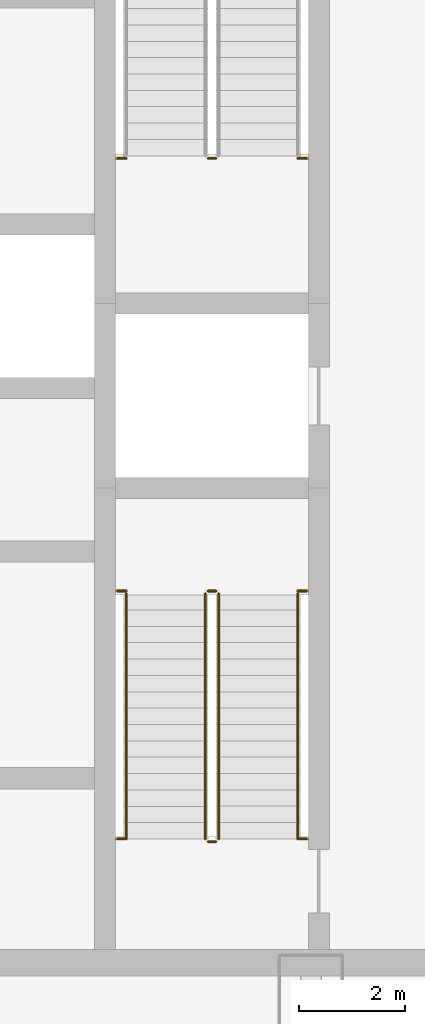
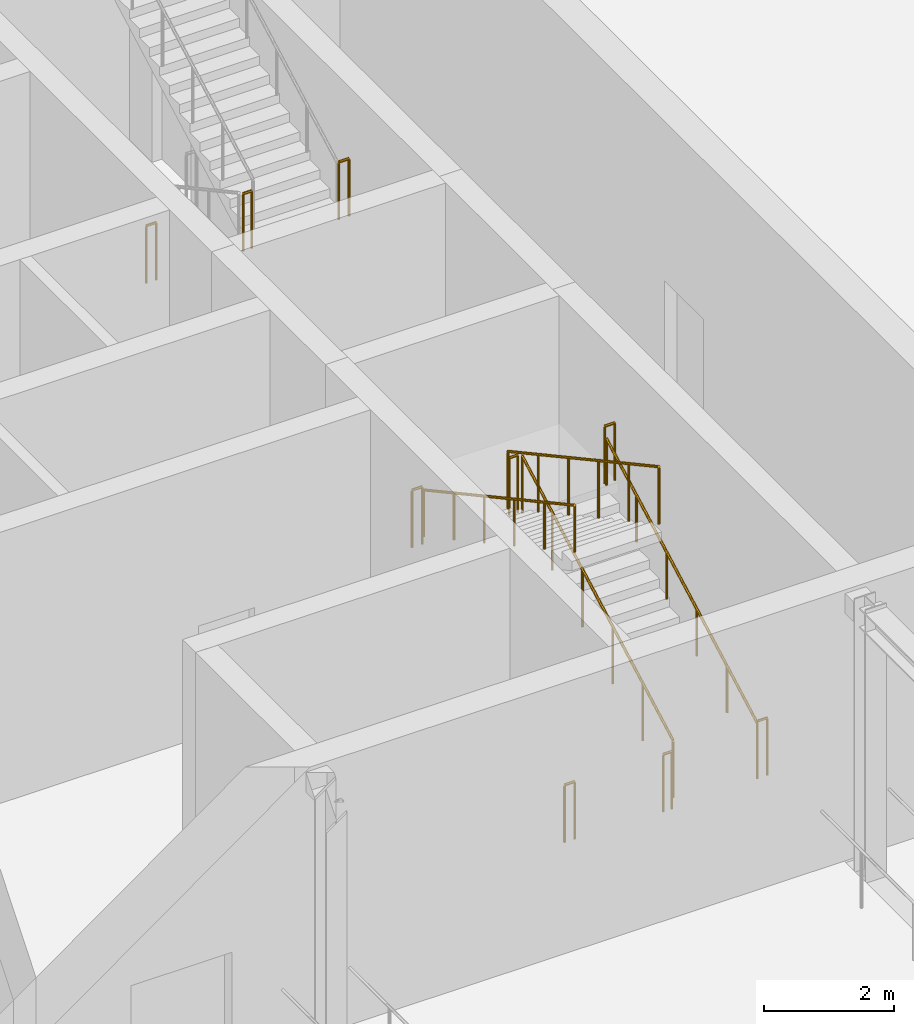
# One storey, part 13 of 16: 13 railings.
"""IFC4 building model written with IfcOpenShell, lengths in metres."""

from ifc_helpers import new_model, si_unit, direction, frame, origin, origin_2d, place, context, subcontext, project, spatial, circle, extrude, material, type_object, element, save


model = new_model("IFC4")

# Units and contexts
model_context = context("Model", 3, precision=1e-05, world=origin(), true_north=direction((0.0, 1.0)))
body_context = subcontext(model_context, "Body", "Model", "MODEL_VIEW")
ifc_project = project(units=[si_unit("LENGTHUNIT", "METRE"), si_unit("AREAUNIT", "SQUARE_METRE"), si_unit("VOLUMEUNIT", "CUBIC_METRE"), si_unit("PLANEANGLEUNIT", "RADIAN"), si_unit("MASSUNIT", "GRAM", prefix="KILO")], contexts=[model_context])

# Site, building, storey
site_placement = place(None, origin())
site = spatial("IfcSite", under=ifc_project, at=site_placement, CompositionType="ELEMENT")
building_placement = place(site_placement, origin())
building = spatial("IfcBuilding", under=site, at=building_placement, Name="Madar Terraces", CompositionType="ELEMENT")
storey_placement = place(building_placement, frame((0.0, 0.0, 263.199951171875)))
storey = spatial("IfcBuildingStorey", under=building, at=storey_placement, Name="L69", CompositionType="ELEMENT", Elevation=263.199951171875)

# Railings
ifc_material_1 = material(Name="Stainless steel railing", Category="steel")
railing_type_1 = type_object("IfcRailingType", Name="Stair guard 1100", PredefinedType="GUARDRAIL", material=ifc_material_1)
railing_1_placement = place(storey_placement, frame((41.25, 30.5, 2.699951171875)))
element("IfcRailing", 1, at=railing_1_placement, inside=storey, type_object=railing_type_1, Name="L69 ST2 stair guard 2", PredefinedType="GUARDRAIL", context=body_context, shape_type="SweptSolid", body=[
    extrude(circle(Radius=0.02392578125, at=origin_2d()), frame((0.0, 0.0, 1.076171875), z_axis=(1.0, 0.0, 0.0), x_axis=(0.0, 1.0, 0.0)), (0.0, 0.0, 1.0), 0.14990234375),
    extrude(circle(Radius=0.02099609375, at=origin_2d()), origin(), (0.0, 0.0, 1.0), 1.052001953125),
    extrude(circle(Radius=0.02099609375, at=origin_2d()), frame((0.14990234375, 0.0, 0.0)), (0.0, 0.0, 1.0), 1.052001953125),
])
railing_2_placement = place(storey_placement, frame((41.449951171875, 17.60009765625, 0.168701171875)))
element("IfcRailing", 2, at=railing_2_placement, inside=storey, type_object=railing_type_1, Name="L69 ST3 stair guard 1", PredefinedType="GUARDRAIL", context=body_context, shape_type="SweptSolid", body=[
    extrude(circle(Radius=0.02392578125, at=origin_2d()), frame((0.0, 0.0, 1.076171875), z_axis=(0.0, 0.878297076953, 0.478115304728), x_axis=(-1.0, 0.0, 0.0)), (0.0, 0.0, 1.0), 5.294189453125),
    extrude(circle(Radius=0.02099609375, at=origin_2d()), origin(), (0.0, 0.0, 1.0), 1.052001953125),
    extrude(circle(Radius=0.02099609375, at=origin_2d()), frame((0.0, 0.929931640625, 0.50634765625)), (0.0, 0.0, 1.0), 1.052001953125),
    extrude(circle(Radius=0.02099609375, at=origin_2d()), frame((0.0, 1.85986328125, 1.012451171875)), (0.0, 0.0, 1.0), 1.052001953125),
    extrude(circle(Radius=0.02099609375, at=origin_2d()), frame((0.0, 2.7900390625, 1.518798828125)), (0.0, 0.0, 1.0), 1.052001953125),
    extrude(circle(Radius=0.02099609375, at=origin_2d()), frame((0.0, 3.719970703125, 2.02490234375)), (0.0, 0.0, 1.0), 1.052001953125),
    extrude(circle(Radius=0.02099609375, at=origin_2d()), frame((0.0, 4.64990234375, 2.53125)), (0.0, 0.0, 1.0), 1.052001953125),
])
railing_3_placement = place(storey_placement, frame((41.39990234375, 22.300048828125, 2.699951171875)))
element("IfcRailing", 3, at=railing_3_placement, inside=storey, type_object=railing_type_1, Name="L69 ST3 stair guard 2", PredefinedType="GUARDRAIL", context=body_context, shape_type="SweptSolid", body=[
    extrude(circle(Radius=0.02392578125, at=origin_2d()), frame((0.0, 0.0, 1.076171875), z_axis=(-1.0, 0.0, 0.0), x_axis=(0.0, -1.0, 0.0)), (0.0, 0.0, 1.0), 0.14990234375),
    extrude(circle(Radius=0.02099609375, at=origin_2d()), origin(), (0.0, 0.0, 1.0), 1.052001953125),
    extrude(circle(Radius=0.02099609375, at=origin_2d()), frame((-0.14990234375, 0.0, 0.0)), (0.0, 0.0, 1.0), 1.052001953125),
])
railing_4_placement = place(storey_placement, frame((41.199951171875, 22.25, 2.868896484375)))
element("IfcRailing", 4, at=railing_4_placement, inside=storey, type_object=railing_type_1, Name="L69 ST3 stair guard 3", PredefinedType="GUARDRAIL", context=body_context, shape_type="SweptSolid", body=[
    extrude(circle(Radius=0.02392578125, at=origin_2d()), frame((0.0, 0.0, 1.076171875), z_axis=(0.0, -0.878297076953, 0.478115304728), x_axis=(1.0, 0.0, 0.0)), (0.0, 0.0, 1.0), 5.294189453125),
    extrude(circle(Radius=0.02099609375, at=origin_2d()), origin(), (0.0, 0.0, 1.0), 1.052001953125),
    extrude(circle(Radius=0.02099609375, at=origin_2d()), frame((0.0, -0.929931640625, 0.50634765625)), (0.0, 0.0, 1.0), 1.052001953125),
    extrude(circle(Radius=0.02099609375, at=origin_2d()), frame((0.0, -1.85986328125, 1.012451171875)), (0.0, 0.0, 1.0), 1.052001953125),
    extrude(circle(Radius=0.02099609375, at=origin_2d()), frame((0.0, -2.7900390625, 1.518798828125)), (0.0, 0.0, 1.0), 1.052001953125),
    extrude(circle(Radius=0.02099609375, at=origin_2d()), frame((0.0, -3.719970703125, 2.02490234375)), (0.0, 0.0, 1.0), 1.052001953125),
    extrude(circle(Radius=0.02099609375, at=origin_2d()), frame((0.0, -4.64990234375, 2.53125)), (0.0, 0.0, 1.0), 1.052001953125),
])
railing_5_placement = place(storey_placement, frame((41.39990234375, 17.550048828125, 0.0)))
element("IfcRailing", 5, at=railing_5_placement, inside=storey, type_object=railing_type_1, Name="L69 ST3 stair guard 4", PredefinedType="GUARDRAIL", context=body_context, shape_type="SweptSolid", body=[
    extrude(circle(Radius=0.02392578125, at=origin_2d()), frame((0.0, 0.0, 1.076171875), z_axis=(-1.0, 0.0, 0.0), x_axis=(0.0, -1.0, 0.0)), (0.0, 0.0, 1.0), 0.14990234375),
    extrude(circle(Radius=0.02099609375, at=origin_2d()), origin(), (0.0, 0.0, 1.0), 1.052001953125),
    extrude(circle(Radius=0.02099609375, at=origin_2d()), frame((-0.14990234375, 0.0, 0.0)), (0.0, 0.0, 1.0), 1.052001953125),
])
for number, where, name in (
    (6, (39.52001953125, 30.5, 2.699951171875), "L69 stair guard seat 1"),
    (7, (42.949951171875, 30.5, 2.699951171875), "L69 stair guard seat 2"),
    (8, (39.52001953125, 22.300048828125, 2.699951171875), "L69 stair guard seat 1"),
    (9, (42.949951171875, 22.300048828125, 2.699951171875), "L69 stair guard seat 2"),
    (10, (39.52001953125, 17.60009765625, 0.0), "L69 stair guard floor 1"),
    (11, (42.949951171875, 17.60009765625, 0.0), "L69 stair guard floor 2"),
):
    element("IfcRailing", number, at=place(storey_placement, frame(where)), inside=storey, type_object=railing_type_1, Name=name, PredefinedType="GUARDRAIL", context=body_context, shape_type="SweptSolid", body=[
        extrude(circle(Radius=0.02392578125, at=origin_2d()), frame((0.0, 0.0, 1.076171875), z_axis=(1.0, 0.0, 0.0), x_axis=(0.0, 1.0, 0.0)), (0.0, 0.0, 1.0), 0.179931640625),
        extrude(circle(Radius=0.02099609375, at=origin_2d()), origin(), (0.0, 0.0, 1.0), 1.052001953125),
        extrude(circle(Radius=0.02099609375, at=origin_2d()), frame((0.179931640625, 0.0, 0.0)), (0.0, 0.0, 1.0), 1.052001953125),
    ])
ifc_material_2 = material(Name="Stainless steel railing", Category="steel")
railing_type_2 = type_object("IfcRailingType", Name="Stair handrail 900", PredefinedType="HANDRAIL", material=ifc_material_2)
railing_6_placement = place(storey_placement, frame((42.949951171875, 17.60009765625, 0.168701171875)))
element("IfcRailing", 12, at=railing_6_placement, inside=storey, type_object=railing_type_2, Name="L69 ST3 stair handrail 1", PredefinedType="HANDRAIL", context=body_context, shape_type="SweptSolid", body=[
    extrude(circle(Radius=0.02392578125, at=origin_2d()), frame((0.0, 0.0, 0.8759765625), z_axis=(0.0, 0.878297076953, 0.478115304728), x_axis=(-1.0, 0.0, 0.0)), (0.0, 0.0, 1.0), 5.294189453125),
    extrude(circle(Radius=0.02099609375, at=origin_2d()), origin(), (0.0, 0.0, 1.0), 0.851806640625),
    extrude(circle(Radius=0.02099609375, at=origin_2d()), frame((0.0, 0.929931640625, 0.50634765625)), (0.0, 0.0, 1.0), 0.851806640625),
    extrude(circle(Radius=0.02099609375, at=origin_2d()), frame((0.0, 1.85986328125, 1.012451171875)), (0.0, 0.0, 1.0), 0.851806640625),
    extrude(circle(Radius=0.02099609375, at=origin_2d()), frame((0.0, 2.7900390625, 1.518798828125)), (0.0, 0.0, 1.0), 0.851806640625),
    extrude(circle(Radius=0.02099609375, at=origin_2d()), frame((0.0, 3.719970703125, 2.02490234375)), (0.0, 0.0, 1.0), 0.851806640625),
    extrude(circle(Radius=0.02099609375, at=origin_2d()), frame((0.0, 4.64990234375, 2.53125)), (0.0, 0.0, 1.0), 0.851806640625),
])
railing_7_placement = place(storey_placement, frame((39.699951171875, 22.25, 2.868896484375)))
element("IfcRailing", 13, at=railing_7_placement, inside=storey, type_object=railing_type_2, Name="L69 ST3 stair handrail 2", PredefinedType="HANDRAIL", context=body_context, shape_type="SweptSolid", body=[
    extrude(circle(Radius=0.02392578125, at=origin_2d()), frame((0.0, 0.0, 0.8759765625), z_axis=(0.0, -0.878297076953, 0.478115304728), x_axis=(1.0, 0.0, 0.0)), (0.0, 0.0, 1.0), 5.294189453125),
    extrude(circle(Radius=0.02099609375, at=origin_2d()), origin(), (0.0, 0.0, 1.0), 0.851806640625),
    extrude(circle(Radius=0.02099609375, at=origin_2d()), frame((0.0, -0.929931640625, 0.50634765625)), (0.0, 0.0, 1.0), 0.851806640625),
    extrude(circle(Radius=0.02099609375, at=origin_2d()), frame((0.0, -1.85986328125, 1.012451171875)), (0.0, 0.0, 1.0), 0.851806640625),
    extrude(circle(Radius=0.02099609375, at=origin_2d()), frame((0.0, -2.7900390625, 1.518798828125)), (0.0, 0.0, 1.0), 0.851806640625),
    extrude(circle(Radius=0.02099609375, at=origin_2d()), frame((0.0, -3.719970703125, 2.02490234375)), (0.0, 0.0, 1.0), 0.851806640625),
    extrude(circle(Radius=0.02099609375, at=origin_2d()), frame((0.0, -4.64990234375, 2.53125)), (0.0, 0.0, 1.0), 0.851806640625),
])

save(model, "model.ifc")
